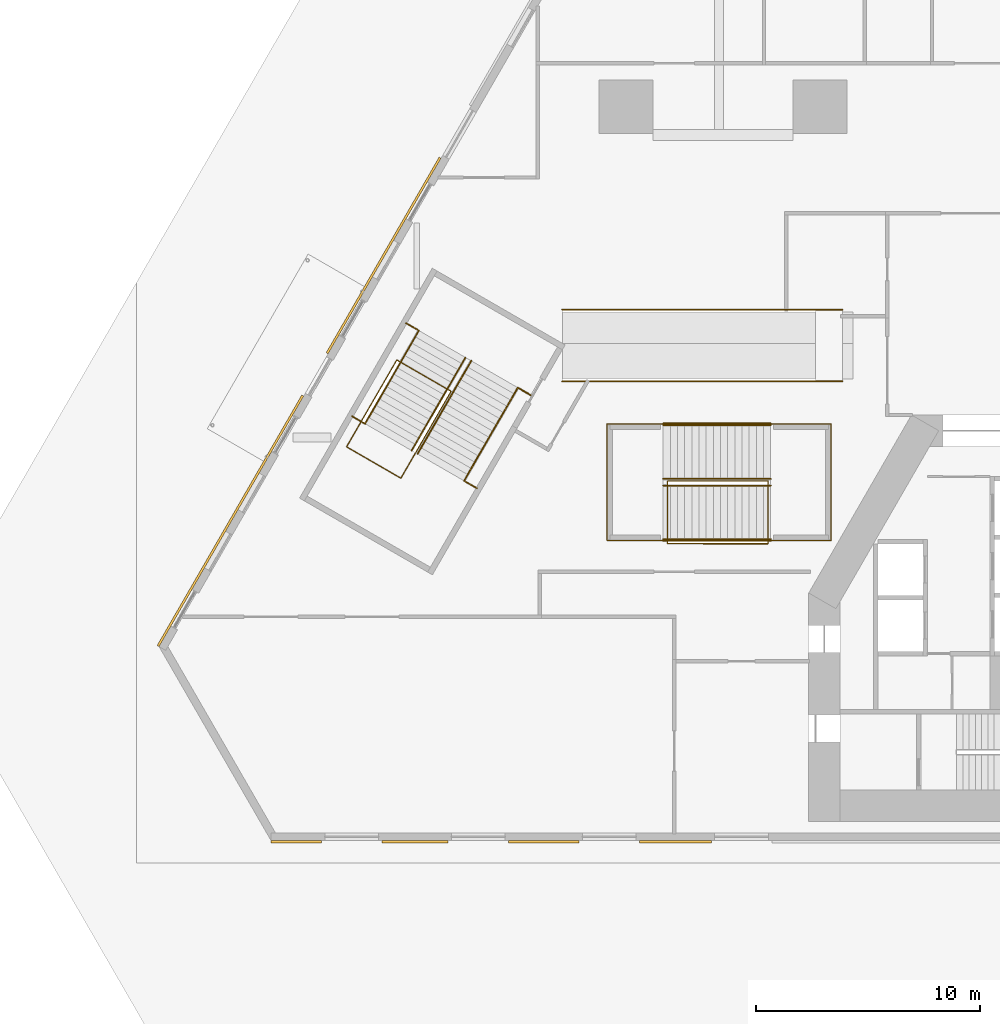
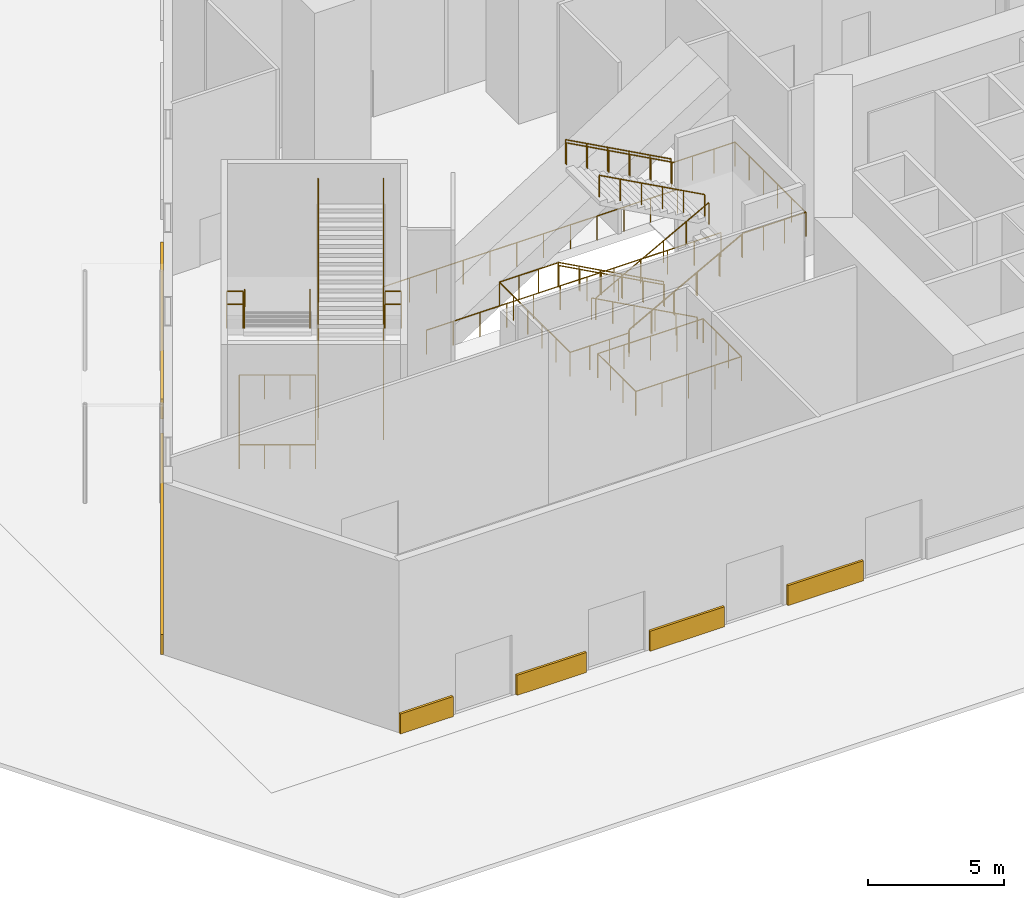
# One storey, part 20 of 24: 25 railings, 6 coverings.
"""IFC4 building model written with IfcOpenShell, lengths in metres."""

from ifc_helpers import new_model, si_unit, direction, frame, origin, origin_2d, place, context, subcontext, project, spatial, polyline, circle, outline, extrude, material, type_object, element, save


model = new_model("IFC4")

# Units and contexts
model_context = context("Model", 3, precision=1e-05, world=origin(), true_north=direction((0.0, 1.0)))
body_context = subcontext(model_context, "Body", "Model", "MODEL_VIEW")
ifc_project = project(units=[si_unit("LENGTHUNIT", "METRE"), si_unit("AREAUNIT", "SQUARE_METRE"), si_unit("VOLUMEUNIT", "CUBIC_METRE"), si_unit("PLANEANGLEUNIT", "RADIAN"), si_unit("MASSUNIT", "GRAM", prefix="KILO")], contexts=[model_context])

# Site, building, storey
site_placement = place(None, origin())
site = spatial("IfcSite", under=ifc_project, at=site_placement, CompositionType="ELEMENT")
building_placement = place(site_placement, origin())
building = spatial("IfcBuilding", under=site, at=building_placement, Name="Fogline Exchange Tower", CompositionType="ELEMENT")
storey_placement = place(building_placement, origin())
storey = spatial("IfcBuildingStorey", under=building, at=storey_placement, Name="L00", CompositionType="ELEMENT", Elevation=0.0)

# Coverings
ifc_material_1 = material(Name="Granite", Category="masonry")
covering_type = type_object("IfcCoveringType", Name="GB1", PredefinedType="CLADDING", material=ifc_material_1)
covering_1_placement = place(storey_placement, origin())
element("IfcCovering", 1, at=covering_1_placement, inside=storey, type_object=covering_type, Name="Granite base course L00 S", PredefinedType="CLADDING", context=body_context, shape_type="SweptSolid", body=[
    extrude(outline(polyline([(-38.0, 0.0), (-38.0, -0.10009765625), (-35.75, -0.10009765625), (-35.75, 0.0), (-38.0, 0.0)])), origin(), (0.0, 0.0, 1.0), 0.89990234375),
])
covering_2_placement = place(storey_placement, origin())
element("IfcCovering", 2, at=covering_2_placement, inside=storey, type_object=covering_type, Name="Granite base course L00 S", PredefinedType="CLADDING", context=body_context, shape_type="SweptSolid", body=[
    extrude(outline(polyline([(-33.050048828125, 0.0), (-33.050048828125, -0.10009765625), (-30.10009765625, -0.10009765625), (-30.10009765625, 0.0), (-33.050048828125, 0.0)])), origin(), (0.0, 0.0, 1.0), 0.89990234375),
])
covering_3_placement = place(storey_placement, origin())
element("IfcCovering", 3, at=covering_3_placement, inside=storey, type_object=covering_type, Name="Granite base course L00 S", PredefinedType="CLADDING", context=body_context, shape_type="SweptSolid", body=[
    extrude(outline(polyline([(-27.39990234375, 0.0), (-27.39990234375, -0.10009765625), (-24.25, -0.10009765625), (-24.25, 0.0), (-27.39990234375, 0.0)])), origin(), (0.0, 0.0, 1.0), 0.89990234375),
])
covering_4_placement = place(storey_placement, origin())
element("IfcCovering", 4, at=covering_4_placement, inside=storey, type_object=covering_type, Name="Granite base course L00 S", PredefinedType="CLADDING", context=body_context, shape_type="SweptSolid", body=[
    extrude(outline(polyline([(-21.550048828125, 0.0), (-21.550048828125, -0.10009765625), (-18.35009765625, -0.10009765625), (-18.35009765625, 0.0), (-21.550048828125, 0.0)])), origin(), (0.0, 0.0, 1.0), 0.89990234375),
])
covering_5_placement = place(storey_placement, origin())
element("IfcCovering", 5, at=covering_5_placement, inside=storey, type_object=covering_type, Name="Granite base course L00 W", PredefinedType="CLADDING", context=body_context, shape_type="SweptSolid", body=[
    extrude(outline(polyline([(-30.41455078125, 30.458984375), (-30.501220703125, 30.509033203125), (-35.540283203125, 21.78076171875), (-35.45361328125, 21.730712890625), (-30.41455078125, 30.458984375)])), origin(), (0.0, 0.0, 1.0), 0.89990234375),
])
covering_6_placement = place(storey_placement, origin())
element("IfcCovering", 6, at=covering_6_placement, inside=storey, type_object=covering_type, Name="Granite base course L00 W", PredefinedType="CLADDING", context=body_context, shape_type="SweptSolid", body=[
    extrude(outline(polyline([(-36.546142578125, 19.83837890625), (-36.6328125, 19.888427734375), (-43.086669921875, 8.710205078125), (-43.0, 8.660400390625), (-36.546142578125, 19.83837890625)])), origin(), (0.0, 0.0, 1.0), 0.89990234375),
])

# Railings
ifc_material_2 = material(Name="Steel Q235B", Category="steel")
railing_type_1 = type_object("IfcRailingType", Name="PG1", PredefinedType="GUARDRAIL", material=ifc_material_2)
railing_1_placement = place(storey_placement, frame((-32.3916015625, 21.455322265625, 0.0)))
element("IfcRailing", 7, at=railing_1_placement, inside=storey, type_object=railing_type_1, Name="Stair well guard ST4", PredefinedType="GUARDRAIL", context=body_context, shape_type="SweptSolid", body=[
    extrude(circle(Radius=0.02392578125, at=origin_2d()), frame((0.0, 0.0, 1.076171875), z_axis=(0.866034573852, -0.49998411664, 0.0), x_axis=(0.49998411664, 0.866034573852, 0.0)), (0.0, 0.0, 1.0), 2.7998046875),
    extrude(circle(Radius=0.02392578125, at=origin_2d()), frame((2.4248046875, -1.39990234375, 1.076171875), z_axis=(-0.499950561895, -0.866053945006, 0.0), x_axis=(0.866053945006, -0.499950561895, 0.0)), (0.0, 0.0, 1.0), 4.47802734375),
    extrude(circle(Radius=0.02392578125, at=origin_2d()), frame((0.18603515625, -5.278076171875, 1.076171875), z_axis=(-0.866056369097, 0.49994636267, 0.0), x_axis=(-0.49994636267, -0.866056369097, 0.0)), (0.0, 0.0, 1.0), 2.800048828125),
    extrude(circle(Radius=0.02392578125, at=origin_2d()), frame((-2.239013671875, -3.878173828125, 1.076171875), z_axis=(0.500963201457, 0.865468584517, 0.0), x_axis=(-0.865468584517, 0.500963201457, 0.0)), (0.0, 0.0, 1.0), 4.478271484375),
    extrude(circle(Radius=0.02099609375, at=origin_2d()), origin(), (0.0, 0.0, 1.0), 1.052001953125),
    extrude(circle(Radius=0.02099609375, at=origin_2d()), frame((0.808349609375, -0.466552734375, 0.0)), (0.0, 0.0, 1.0), 1.052001953125),
    extrude(circle(Radius=0.02099609375, at=origin_2d()), frame((1.616455078125, -0.933349609375, 0.0)), (0.0, 0.0, 1.0), 1.052001953125),
    extrude(circle(Radius=0.02099609375, at=origin_2d()), frame((2.4248046875, -1.39990234375, 0.0)), (0.0, 0.0, 1.0), 1.052001953125),
    extrude(circle(Radius=0.02099609375, at=origin_2d()), frame((1.865234375, -2.369384765625, 0.0)), (0.0, 0.0, 1.0), 1.052001953125),
    extrude(circle(Radius=0.02099609375, at=origin_2d()), frame((1.305419921875, -3.3388671875, 0.0)), (0.0, 0.0, 1.0), 1.052001953125),
    extrude(circle(Radius=0.02099609375, at=origin_2d()), frame((0.74560546875, -4.30859375, 0.0)), (0.0, 0.0, 1.0), 1.052001953125),
    extrude(circle(Radius=0.02099609375, at=origin_2d()), frame((0.18603515625, -5.278076171875, 0.0)), (0.0, 0.0, 1.0), 1.052001953125),
    extrude(circle(Radius=0.02099609375, at=origin_2d()), frame((-0.622314453125, -4.8115234375, 0.0)), (0.0, 0.0, 1.0), 1.052001953125),
    extrude(circle(Radius=0.02099609375, at=origin_2d()), frame((-1.4306640625, -4.3447265625, 0.0)), (0.0, 0.0, 1.0), 1.052001953125),
    extrude(circle(Radius=0.02099609375, at=origin_2d()), frame((-2.239013671875, -3.878173828125, 0.0)), (0.0, 0.0, 1.0), 1.052001953125),
    extrude(circle(Radius=0.02099609375, at=origin_2d()), frame((-1.67822265625, -2.9091796875, 0.0)), (0.0, 0.0, 1.0), 1.052001953125),
    extrude(circle(Radius=0.02099609375, at=origin_2d()), frame((-1.1171875, -1.9404296875, 0.0)), (0.0, 0.0, 1.0), 1.052001953125),
    extrude(circle(Radius=0.02099609375, at=origin_2d()), frame((-0.556396484375, -0.971435546875, 0.0)), (0.0, 0.0, 1.0), 1.052001953125),
    extrude(circle(Radius=0.02099609375, at=origin_2d()), frame((0.00439453125, -0.00244140625, 0.0)), (0.0, 0.0, 1.0), 1.052001953125),
])
railing_2_placement = place(storey_placement, frame((-31.979248046875, 23.099609375, 2.608642578125)))
element("IfcRailing", 8, at=railing_2_placement, inside=storey, type_object=railing_type_1, Name="Landing guard ST4", PredefinedType="GUARDRAIL", context=body_context, shape_type="SweptSolid", body=[
    extrude(circle(Radius=0.02392578125, at=origin_2d()), frame((0.0, 0.0, 1.076171875), z_axis=(0.865888002441, -0.500237910626, 0.0), x_axis=(0.500237910626, 0.865888002441, 0.0)), (0.0, 0.0, 1.0), 0.614990234375),
    extrude(circle(Radius=0.02099609375, at=origin_2d()), origin(), (0.0, 0.0, 1.0), 1.052001953125),
    extrude(circle(Radius=0.02099609375, at=origin_2d()), frame((0.532470703125, -0.3076171875, 0.0)), (0.0, 0.0, 1.0), 1.052001953125),
])
railing_3_placement = place(storey_placement, frame((-26.943359375, 20.192138671875, 2.608642578125)))
element("IfcRailing", 9, at=railing_3_placement, inside=storey, type_object=railing_type_1, Name="Landing guard ST4", PredefinedType="GUARDRAIL", context=body_context, shape_type="SweptSolid", body=[
    extrude(circle(Radius=0.02392578125, at=origin_2d()), frame((0.0, 0.0, 1.076171875), z_axis=(0.865987299264, -0.500065993159, 0.0), x_axis=(0.500065993159, 0.865987299264, 0.0)), (0.0, 0.0, 1.0), 0.615234375),
    extrude(circle(Radius=0.02099609375, at=origin_2d()), origin(), (0.0, 0.0, 1.0), 1.052001953125),
    extrude(circle(Radius=0.02099609375, at=origin_2d()), frame((0.53271484375, -0.3076171875, 0.0)), (0.0, 0.0, 1.0), 1.052001953125),
])
railing_4_placement = place(storey_placement, frame((-34.379150390625, 18.9423828125, 5.391357421875)))
element("IfcRailing", 10, at=railing_4_placement, inside=storey, type_object=railing_type_1, Name="Landing guard ST4", PredefinedType="GUARDRAIL", context=body_context, shape_type="SweptSolid", body=[
    extrude(circle(Radius=0.02392578125, at=origin_2d()), frame((0.0, 0.0, 1.076171875), z_axis=(0.866059952115, -0.49994015576, 0.0), x_axis=(0.49994015576, 0.866059952115, 0.0)), (0.0, 0.0, 1.0), 0.61474609375),
    extrude(circle(Radius=0.02099609375, at=origin_2d()), origin(), (0.0, 0.0, 1.0), 1.052001953125),
    extrude(circle(Radius=0.02099609375, at=origin_2d()), frame((0.532470703125, -0.307373046875, 0.0)), (0.0, 0.0, 1.0), 1.052001953125),
])
railing_5_placement = place(storey_placement, frame((-29.34326171875, 16.03515625, 5.391357421875)))
element("IfcRailing", 11, at=railing_5_placement, inside=storey, type_object=railing_type_1, Name="Landing guard ST4", PredefinedType="GUARDRAIL", context=body_context, shape_type="SweptSolid", body=[
    extrude(circle(Radius=0.02392578125, at=origin_2d()), frame((0.0, 0.0, 1.076171875), z_axis=(0.865987299264, -0.500065993159, 0.0), x_axis=(0.500065993159, 0.865987299264, 0.0)), (0.0, 0.0, 1.0), 0.615234375),
    extrude(circle(Radius=0.02099609375, at=origin_2d()), origin(), (0.0, 0.0, 1.0), 1.052001953125),
    extrude(circle(Radius=0.02099609375, at=origin_2d()), frame((0.53271484375, -0.3076171875, 0.0)), (0.0, 0.0, 1.0), 1.052001953125),
])
railing_6_placement = place(storey_placement, frame((-20.300048828125, 13.25, 0.0)))
element("IfcRailing", 12, at=railing_6_placement, inside=storey, type_object=railing_type_1, Name="Stair well guard PS3", PredefinedType="GUARDRAIL", context=body_context, shape_type="SweptSolid", body=[
    extrude(circle(Radius=0.02392578125, at=origin_2d()), frame((0.0, 0.0, 1.076171875), z_axis=(0.0, 1.0, 0.0), x_axis=(-1.0, 0.0, 0.0)), (0.0, 0.0, 1.0), 2.800048828125),
    extrude(circle(Radius=0.02392578125, at=origin_2d()), frame((0.0, 2.800048828125, 1.076171875), z_axis=(1.0, 0.0, 0.0), x_axis=(0.0, 1.0, 0.0)), (0.0, 0.0, 1.0), 4.47802734375),
    extrude(circle(Radius=0.02392578125, at=origin_2d()), frame((4.47802734375, 2.800048828125, 1.076171875), z_axis=(0.0, -1.0, 0.0), x_axis=(1.0, 0.0, 0.0)), (0.0, 0.0, 1.0), 2.800048828125),
    extrude(circle(Radius=0.02392578125, at=origin_2d()), frame((4.47802734375, 0.0, 1.076171875), z_axis=(-0.999999405521, 0.001090392984, 0.0), x_axis=(-0.001090392984, -0.999999405521, 0.0)), (0.0, 0.0, 1.0), 4.47802734375),
    extrude(circle(Radius=0.02099609375, at=origin_2d()), origin(), (0.0, 0.0, 1.0), 1.052001953125),
    extrude(circle(Radius=0.02099609375, at=origin_2d()), frame((0.0, 0.933349609375, 0.0)), (0.0, 0.0, 1.0), 1.052001953125),
    extrude(circle(Radius=0.02099609375, at=origin_2d()), frame((0.0, 1.86669921875, 0.0)), (0.0, 0.0, 1.0), 1.052001953125),
    extrude(circle(Radius=0.02099609375, at=origin_2d()), frame((0.0, 2.800048828125, 0.0)), (0.0, 0.0, 1.0), 1.052001953125),
    extrude(circle(Radius=0.02099609375, at=origin_2d()), frame((1.11962890625, 2.800048828125, 0.0)), (0.0, 0.0, 1.0), 1.052001953125),
    extrude(circle(Radius=0.02099609375, at=origin_2d()), frame((2.239013671875, 2.800048828125, 0.0)), (0.0, 0.0, 1.0), 1.052001953125),
    extrude(circle(Radius=0.02099609375, at=origin_2d()), frame((3.3583984375, 2.800048828125, 0.0)), (0.0, 0.0, 1.0), 1.052001953125),
    extrude(circle(Radius=0.02099609375, at=origin_2d()), frame((4.47802734375, 2.800048828125, 0.0)), (0.0, 0.0, 1.0), 1.052001953125),
    extrude(circle(Radius=0.02099609375, at=origin_2d()), frame((4.47802734375, 1.86669921875, 0.0)), (0.0, 0.0, 1.0), 1.052001953125),
    extrude(circle(Radius=0.02099609375, at=origin_2d()), frame((4.47802734375, 0.933349609375, 0.0)), (0.0, 0.0, 1.0), 1.052001953125),
    extrude(circle(Radius=0.02099609375, at=origin_2d()), frame((4.47802734375, 0.0, 0.0)), (0.0, 0.0, 1.0), 1.052001953125),
    extrude(circle(Radius=0.02099609375, at=origin_2d()), frame((3.3583984375, 0.001220703125, 0.0)), (0.0, 0.0, 1.0), 1.052001953125),
    extrude(circle(Radius=0.02099609375, at=origin_2d()), frame((2.239013671875, 0.00244140625, 0.0)), (0.0, 0.0, 1.0), 1.052001953125),
    extrude(circle(Radius=0.02099609375, at=origin_2d()), frame((1.11962890625, 0.003662109375, 0.0)), (0.0, 0.0, 1.0), 1.052001953125),
    extrude(circle(Radius=0.02099609375, at=origin_2d()), frame((0.0, 0.0048828125, 0.0)), (0.0, 0.0, 1.0), 1.052001953125),
])
railing_7_placement = place(storey_placement, frame((-16.02001953125, 18.6201171875, 0.173828125)))
element("IfcRailing", 13, at=railing_7_placement, inside=storey, type_object=railing_type_1, Name="Guard PS1", PredefinedType="GUARDRAIL", context=body_context, shape_type="SweptSolid", body=[
    extrude(circle(Radius=0.02392578125, at=origin_2d()), frame((0.0, 0.0, 1.076171875), z_axis=(-0.878621015842, 0.0, 0.477519748828), x_axis=(0.0, -1.0, 0.0)), (0.0, 0.0, 1.0), 5.098876953125),
    extrude(circle(Radius=0.02099609375, at=origin_2d()), origin(), (0.0, 0.0, 1.0), 1.052001953125),
    extrude(circle(Radius=0.02099609375, at=origin_2d()), frame((-0.89599609375, 0.0, 0.487060546875)), (0.0, 0.0, 1.0), 1.052001953125),
    extrude(circle(Radius=0.02099609375, at=origin_2d()), frame((-1.7919921875, 0.0, 0.973876953125)), (0.0, 0.0, 1.0), 1.052001953125),
    extrude(circle(Radius=0.02099609375, at=origin_2d()), frame((-2.68798828125, 0.0, 1.4609375)), (0.0, 0.0, 1.0), 1.052001953125),
    extrude(circle(Radius=0.02099609375, at=origin_2d()), frame((-3.583984375, 0.0, 1.94775390625)), (0.0, 0.0, 1.0), 1.052001953125),
    extrude(circle(Radius=0.02099609375, at=origin_2d()), frame((-4.47998046875, 0.0, 2.434814453125)), (0.0, 0.0, 1.0), 1.052001953125),
])
railing_8_placement = place(storey_placement, frame((-20.5, 13.3798828125, 2.78271484375)))
element("IfcRailing", 14, at=railing_8_placement, inside=storey, type_object=railing_type_1, Name="Guard PS1", PredefinedType="GUARDRAIL", context=body_context, shape_type="SweptSolid", body=[
    extrude(circle(Radius=0.02392578125, at=origin_2d()), frame((0.0, 0.0, 1.076171875), z_axis=(0.878630623466, 0.0, 0.477502070685), x_axis=(0.0, 1.0, 0.0)), (0.0, 0.0, 1.0), 5.463134765625),
    extrude(circle(Radius=0.02099609375, at=origin_2d()), origin(), (0.0, 0.0, 1.0), 1.052001953125),
    extrude(circle(Radius=0.02099609375, at=origin_2d()), frame((0.9599609375, 0.0, 0.521728515625)), (0.0, 0.0, 1.0), 1.052001953125),
    extrude(circle(Radius=0.02099609375, at=origin_2d()), frame((1.919921875, 0.0, 1.04345703125)), (0.0, 0.0, 1.0), 1.052001953125),
    extrude(circle(Radius=0.02099609375, at=origin_2d()), frame((2.880126953125, 0.0, 1.565185546875)), (0.0, 0.0, 1.0), 1.052001953125),
    extrude(circle(Radius=0.02099609375, at=origin_2d()), frame((3.840087890625, 0.0, 2.0869140625)), (0.0, 0.0, 1.0), 1.052001953125),
    extrude(circle(Radius=0.02099609375, at=origin_2d()), frame((4.800048828125, 0.0, 2.608642578125)), (0.0, 0.0, 1.0), 1.052001953125),
])
railing_9_placement = place(storey_placement, frame((-15.699951171875, 18.6201171875, 5.565185546875)))
element("IfcRailing", 15, at=railing_9_placement, inside=storey, type_object=railing_type_1, Name="Guard PS1", PredefinedType="GUARDRAIL", context=body_context, shape_type="SweptSolid", body=[
    extrude(circle(Radius=0.02392578125, at=origin_2d()), frame((0.0, 0.0, 1.076171875), z_axis=(-0.878621015842, 0.0, 0.477519748828), x_axis=(0.0, -1.0, 0.0)), (0.0, 0.0, 1.0), 5.098876953125),
    extrude(circle(Radius=0.02099609375, at=origin_2d()), origin(), (0.0, 0.0, 1.0), 1.052001953125),
    extrude(circle(Radius=0.02099609375, at=origin_2d()), frame((-0.89599609375, 0.0, 0.487060546875)), (0.0, 0.0, 1.0), 1.052001953125),
    extrude(circle(Radius=0.02099609375, at=origin_2d()), frame((-1.7919921875, 0.0, 0.973876953125)), (0.0, 0.0, 1.0), 1.052001953125),
    extrude(circle(Radius=0.02099609375, at=origin_2d()), frame((-2.68798828125, 0.0, 1.4609375)), (0.0, 0.0, 1.0), 1.052001953125),
    extrude(circle(Radius=0.02099609375, at=origin_2d()), frame((-3.583984375, 0.0, 1.94775390625)), (0.0, 0.0, 1.0), 1.052001953125),
    extrude(circle(Radius=0.02099609375, at=origin_2d()), frame((-4.47998046875, 0.0, 2.434814453125)), (0.0, 0.0, 1.0), 1.052001953125),
])
railing_10_placement = place(storey_placement, frame((-20.5, 13.39990234375, 2.608642578125)))
element("IfcRailing", 16, at=railing_10_placement, inside=storey, type_object=railing_type_1, Name="Landing guard PS1", PredefinedType="GUARDRAIL", context=body_context, shape_type="SweptSolid", body=[
    extrude(circle(Radius=0.02392578125, at=origin_2d()), frame((0.0, 0.0, 1.076171875), z_axis=(-1.0, 0.0, 0.0), x_axis=(0.0, -1.0, 0.0)), (0.0, 0.0, 1.0), 2.5),
    extrude(circle(Radius=0.02392578125, at=origin_2d()), frame((-2.5, 0.0, 1.076171875), z_axis=(0.0, 1.0, 0.0), x_axis=(-1.0, 0.0, 0.0)), (0.0, 0.0, 1.0), 5.2001953125),
    extrude(circle(Radius=0.02392578125, at=origin_2d()), frame((-2.5, 5.2001953125, 1.076171875), z_axis=(1.0, 0.0, 0.0), x_axis=(0.0, 1.0, 0.0)), (0.0, 0.0, 1.0), 2.5),
    extrude(circle(Radius=0.02099609375, at=origin_2d()), origin(), (0.0, 0.0, 1.0), 1.052001953125),
    extrude(circle(Radius=0.02099609375, at=origin_2d()), frame((-0.833251953125, 0.0, 0.0)), (0.0, 0.0, 1.0), 1.052001953125),
    extrude(circle(Radius=0.02099609375, at=origin_2d()), frame((-1.666748046875, 0.0, 0.0)), (0.0, 0.0, 1.0), 1.052001953125),
    extrude(circle(Radius=0.02099609375, at=origin_2d()), frame((-2.5, 0.0, 0.0)), (0.0, 0.0, 1.0), 1.052001953125),
    extrude(circle(Radius=0.02099609375, at=origin_2d()), frame((-2.5, 1.0400390625, 0.0)), (0.0, 0.0, 1.0), 1.052001953125),
    extrude(circle(Radius=0.02099609375, at=origin_2d()), frame((-2.5, 2.080078125, 0.0)), (0.0, 0.0, 1.0), 1.052001953125),
    extrude(circle(Radius=0.02099609375, at=origin_2d()), frame((-2.5, 3.1201171875, 0.0)), (0.0, 0.0, 1.0), 1.052001953125),
    extrude(circle(Radius=0.02099609375, at=origin_2d()), frame((-2.5, 4.16015625, 0.0)), (0.0, 0.0, 1.0), 1.052001953125),
    extrude(circle(Radius=0.02099609375, at=origin_2d()), frame((-2.5, 5.2001953125, 0.0)), (0.0, 0.0, 1.0), 1.052001953125),
    extrude(circle(Radius=0.02099609375, at=origin_2d()), frame((-1.666748046875, 5.2001953125, 0.0)), (0.0, 0.0, 1.0), 1.052001953125),
    extrude(circle(Radius=0.02099609375, at=origin_2d()), frame((-0.833251953125, 5.2001953125, 0.0)), (0.0, 0.0, 1.0), 1.052001953125),
    extrude(circle(Radius=0.02099609375, at=origin_2d()), frame((0.0, 5.2001953125, 0.0)), (0.0, 0.0, 1.0), 1.052001953125),
])
railing_11_placement = place(storey_placement, frame((-15.699951171875, 13.39990234375, 5.391357421875)))
element("IfcRailing", 17, at=railing_11_placement, inside=storey, type_object=railing_type_1, Name="Landing guard PS1", PredefinedType="GUARDRAIL", context=body_context, shape_type="SweptSolid", body=[
    extrude(circle(Radius=0.02392578125, at=origin_2d()), frame((0.0, 0.0, 1.076171875), z_axis=(1.0, 0.0, 0.0), x_axis=(0.0, 1.0, 0.0)), (0.0, 0.0, 1.0), 2.699951171875),
    extrude(circle(Radius=0.02392578125, at=origin_2d()), frame((2.699951171875, 0.0, 1.076171875), z_axis=(0.0, 1.0, 0.0), x_axis=(-1.0, 0.0, 0.0)), (0.0, 0.0, 1.0), 5.2001953125),
    extrude(circle(Radius=0.02392578125, at=origin_2d()), frame((2.699951171875, 5.2001953125, 1.076171875), z_axis=(-1.0, 0.0, 0.0), x_axis=(0.0, -1.0, 0.0)), (0.0, 0.0, 1.0), 2.699951171875),
    extrude(circle(Radius=0.02099609375, at=origin_2d()), origin(), (0.0, 0.0, 1.0), 1.052001953125),
    extrude(circle(Radius=0.02099609375, at=origin_2d()), frame((0.89990234375, 0.0, 0.0)), (0.0, 0.0, 1.0), 1.052001953125),
    extrude(circle(Radius=0.02099609375, at=origin_2d()), frame((1.800048828125, 0.0, 0.0)), (0.0, 0.0, 1.0), 1.052001953125),
    extrude(circle(Radius=0.02099609375, at=origin_2d()), frame((2.699951171875, 0.0, 0.0)), (0.0, 0.0, 1.0), 1.052001953125),
    extrude(circle(Radius=0.02099609375, at=origin_2d()), frame((2.699951171875, 1.0400390625, 0.0)), (0.0, 0.0, 1.0), 1.052001953125),
    extrude(circle(Radius=0.02099609375, at=origin_2d()), frame((2.699951171875, 2.080078125, 0.0)), (0.0, 0.0, 1.0), 1.052001953125),
    extrude(circle(Radius=0.02099609375, at=origin_2d()), frame((2.699951171875, 3.1201171875, 0.0)), (0.0, 0.0, 1.0), 1.052001953125),
    extrude(circle(Radius=0.02099609375, at=origin_2d()), frame((2.699951171875, 4.16015625, 0.0)), (0.0, 0.0, 1.0), 1.052001953125),
    extrude(circle(Radius=0.02099609375, at=origin_2d()), frame((2.699951171875, 5.2001953125, 0.0)), (0.0, 0.0, 1.0), 1.052001953125),
    extrude(circle(Radius=0.02099609375, at=origin_2d()), frame((1.800048828125, 5.2001953125, 0.0)), (0.0, 0.0, 1.0), 1.052001953125),
    extrude(circle(Radius=0.02099609375, at=origin_2d()), frame((0.89990234375, 5.2001953125, 0.0)), (0.0, 0.0, 1.0), 1.052001953125),
    extrude(circle(Radius=0.02099609375, at=origin_2d()), frame((0.0, 5.2001953125, 0.0)), (0.0, 0.0, 1.0), 1.052001953125),
])
for number, where, name in (
    (18, (-25.0, 20.5, 0.0), "Guard"),
    (19, (-25.0, 23.699951171875, 0.0), "Guard"),
):
    element("IfcRailing", number, at=place(storey_placement, frame(where)), inside=storey, type_object=railing_type_1, Name=name, PredefinedType="GUARDRAIL", context=body_context, shape_type="SweptSolid", body=[
        extrude(circle(Radius=0.02392578125, at=origin_2d()), frame((0.0, 0.0, 1.076171875), z_axis=(1.0, 0.0, 0.0), x_axis=(0.0, 1.0, 0.0)), (0.0, 0.0, 1.0), 12.5),
        extrude(circle(Radius=0.02099609375, at=origin_2d()), origin(), (0.0, 0.0, 1.0), 1.052001953125),
        extrude(circle(Radius=0.02099609375, at=origin_2d()), frame((1.136474609375, 0.0, 0.0)), (0.0, 0.0, 1.0), 1.052001953125),
        extrude(circle(Radius=0.02099609375, at=origin_2d()), frame((2.272705078125, 0.0, 0.0)), (0.0, 0.0, 1.0), 1.052001953125),
        extrude(circle(Radius=0.02099609375, at=origin_2d()), frame((3.4091796875, 0.0, 0.0)), (0.0, 0.0, 1.0), 1.052001953125),
        extrude(circle(Radius=0.02099609375, at=origin_2d()), frame((4.54541015625, 0.0, 0.0)), (0.0, 0.0, 1.0), 1.052001953125),
        extrude(circle(Radius=0.02099609375, at=origin_2d()), frame((5.681884765625, 0.0, 0.0)), (0.0, 0.0, 1.0), 1.052001953125),
        extrude(circle(Radius=0.02099609375, at=origin_2d()), frame((6.818115234375, 0.0, 0.0)), (0.0, 0.0, 1.0), 1.052001953125),
        extrude(circle(Radius=0.02099609375, at=origin_2d()), frame((7.95458984375, 0.0, 0.0)), (0.0, 0.0, 1.0), 1.052001953125),
        extrude(circle(Radius=0.02099609375, at=origin_2d()), frame((9.0908203125, 0.0, 0.0)), (0.0, 0.0, 1.0), 1.052001953125),
        extrude(circle(Radius=0.02099609375, at=origin_2d()), frame((10.227294921875, 0.0, 0.0)), (0.0, 0.0, 1.0), 1.052001953125),
        extrude(circle(Radius=0.02099609375, at=origin_2d()), frame((11.363525390625, 0.0, 0.0)), (0.0, 0.0, 1.0), 1.052001953125),
        extrude(circle(Radius=0.02099609375, at=origin_2d()), frame((12.5, 0.0, 0.0)), (0.0, 0.0, 1.0), 1.052001953125),
    ])
railing_type_2 = type_object("IfcRailingType", Name="PH1", PredefinedType="HANDRAIL", material=ifc_material_2)
railing_12_placement = place(storey_placement, frame((-29.2265625, 16.337158203125, 0.173828125)))
element("IfcRailing", 20, at=railing_12_placement, inside=storey, type_object=railing_type_2, Name="Handrail ST4", PredefinedType="HANDRAIL", context=body_context, shape_type="SweptSolid", body=[
    extrude(circle(Radius=0.02392578125, at=origin_2d()), frame((0.0, 0.0, 0.97607421875), z_axis=(0.439303564155, 0.760916865563, 0.477512201124), x_axis=(-0.866031314237, 0.499989762656, 0.0)), (0.0, 0.0, 1.0), 5.098876953125),
    extrude(circle(Radius=0.02099609375, at=origin_2d()), origin(), (0.0, 0.0, 1.0), 0.951904296875),
    extrude(circle(Radius=0.02099609375, at=origin_2d()), frame((0.447998046875, 0.77587890625, 0.487060546875)), (0.0, 0.0, 1.0), 0.951904296875),
    extrude(circle(Radius=0.02099609375, at=origin_2d()), frame((0.89599609375, 1.552001953125, 0.973876953125)), (0.0, 0.0, 1.0), 0.951904296875),
    extrude(circle(Radius=0.02099609375, at=origin_2d()), frame((1.343994140625, 2.327880859375, 1.4609375)), (0.0, 0.0, 1.0), 0.951904296875),
    extrude(circle(Radius=0.02099609375, at=origin_2d()), frame((1.7919921875, 3.10400390625, 1.94775390625)), (0.0, 0.0, 1.0), 0.951904296875),
    extrude(circle(Radius=0.02099609375, at=origin_2d()), frame((2.239990234375, 3.8798828125, 2.434814453125)), (0.0, 0.0, 1.0), 0.951904296875),
])
railing_13_placement = place(storey_placement, frame((-31.304931640625, 17.537109375, 0.173828125)))
element("IfcRailing", 21, at=railing_13_placement, inside=storey, type_object=railing_type_2, Name="Handrail ST4", PredefinedType="HANDRAIL", context=body_context, shape_type="SweptSolid", body=[
    extrude(circle(Radius=0.02392578125, at=origin_2d()), frame((0.0, 0.0, 0.97607421875), z_axis=(0.439264922781, 0.760932870377, 0.47752224492), x_axis=(-0.866054910533, 0.49994888933, 0.0)), (0.0, 0.0, 1.0), 5.098876953125),
    extrude(circle(Radius=0.02099609375, at=origin_2d()), origin(), (0.0, 0.0, 1.0), 0.951904296875),
    extrude(circle(Radius=0.02099609375, at=origin_2d()), frame((0.447998046875, 0.77587890625, 0.487060546875)), (0.0, 0.0, 1.0), 0.951904296875),
    extrude(circle(Radius=0.02099609375, at=origin_2d()), frame((0.89599609375, 1.552001953125, 0.973876953125)), (0.0, 0.0, 1.0), 0.951904296875),
    extrude(circle(Radius=0.02099609375, at=origin_2d()), frame((1.34375, 2.327880859375, 1.4609375)), (0.0, 0.0, 1.0), 0.951904296875),
    extrude(circle(Radius=0.02099609375, at=origin_2d()), frame((1.791748046875, 3.10400390625, 1.94775390625)), (0.0, 0.0, 1.0), 0.951904296875),
    extrude(circle(Radius=0.02099609375, at=origin_2d()), frame((2.23974609375, 3.8798828125, 2.434814453125)), (0.0, 0.0, 1.0), 0.951904296875),
])
for number, where, name in (
    (22, (-31.4033203125, 22.76708984375, 2.78271484375), "Handrail ST4"),
    (23, (-29.324951171875, 21.56689453125, 2.78271484375), "Handrail ST4"),
):
    element("IfcRailing", number, at=place(storey_placement, frame(where)), inside=storey, type_object=railing_type_2, Name=name, PredefinedType="HANDRAIL", context=body_context, shape_type="SweptSolid", body=[
        extrude(circle(Radius=0.02392578125, at=origin_2d()), frame((0.0, 0.0, 0.97607421875), z_axis=(-0.439296165955, -0.760925312076, 0.477505547632), x_axis=(0.866037363387, -0.499979284789, 0.0)), (0.0, 0.0, 1.0), 5.463134765625),
        extrude(circle(Radius=0.02099609375, at=origin_2d()), origin(), (0.0, 0.0, 1.0), 0.951904296875),
        extrude(circle(Radius=0.02099609375, at=origin_2d()), frame((-0.47998046875, -0.831298828125, 0.521728515625)), (0.0, 0.0, 1.0), 0.951904296875),
        extrude(circle(Radius=0.02099609375, at=origin_2d()), frame((-0.9599609375, -1.662841796875, 1.04345703125)), (0.0, 0.0, 1.0), 0.951904296875),
        extrude(circle(Radius=0.02099609375, at=origin_2d()), frame((-1.43994140625, -2.494140625, 1.565185546875)), (0.0, 0.0, 1.0), 0.951904296875),
        extrude(circle(Radius=0.02099609375, at=origin_2d()), frame((-1.919921875, -3.32568359375, 2.0869140625)), (0.0, 0.0, 1.0), 0.951904296875),
        extrude(circle(Radius=0.02099609375, at=origin_2d()), frame((-2.39990234375, -4.156982421875, 2.608642578125)), (0.0, 0.0, 1.0), 0.951904296875),
    ])
for number, where, name in (
    (24, (-29.386474609375, 16.06005859375, 5.565185546875), "Handrail ST4"),
    (25, (-31.465087890625, 17.260009765625, 5.565185546875), "Handrail ST4"),
):
    element("IfcRailing", number, at=place(storey_placement, frame(where)), inside=storey, type_object=railing_type_2, Name=name, PredefinedType="HANDRAIL", context=body_context, shape_type="SweptSolid", body=[
        extrude(circle(Radius=0.02392578125, at=origin_2d()), frame((0.0, 0.0, 0.97607421875), z_axis=(0.439303564155, 0.760916865563, 0.477512201124), x_axis=(-0.866031314237, 0.499989762656, 0.0)), (0.0, 0.0, 1.0), 5.098876953125),
        extrude(circle(Radius=0.02099609375, at=origin_2d()), origin(), (0.0, 0.0, 1.0), 0.951904296875),
        extrude(circle(Radius=0.02099609375, at=origin_2d()), frame((0.447998046875, 0.77587890625, 0.487060546875)), (0.0, 0.0, 1.0), 0.951904296875),
        extrude(circle(Radius=0.02099609375, at=origin_2d()), frame((0.89599609375, 1.552001953125, 0.973876953125)), (0.0, 0.0, 1.0), 0.951904296875),
        extrude(circle(Radius=0.02099609375, at=origin_2d()), frame((1.343994140625, 2.327880859375, 1.4609375)), (0.0, 0.0, 1.0), 0.951904296875),
        extrude(circle(Radius=0.02099609375, at=origin_2d()), frame((1.7919921875, 3.10400390625, 1.94775390625)), (0.0, 0.0, 1.0), 0.951904296875),
        extrude(circle(Radius=0.02099609375, at=origin_2d()), frame((2.239990234375, 3.8798828125, 2.434814453125)), (0.0, 0.0, 1.0), 0.951904296875),
    ])
for number, where, name in (
    (26, (-16.02001953125, 18.550048828125, 0.173828125), "Handrail PS1"),
    (27, (-16.02001953125, 16.14990234375, 0.173828125), "Handrail PS1"),
):
    element("IfcRailing", number, at=place(storey_placement, frame(where)), inside=storey, type_object=railing_type_2, Name=name, PredefinedType="HANDRAIL", context=body_context, shape_type="SweptSolid", body=[
        extrude(circle(Radius=0.02392578125, at=origin_2d()), frame((0.0, 0.0, 0.97607421875), z_axis=(-0.878621015842, 0.0, 0.477519748828), x_axis=(0.0, -1.0, 0.0)), (0.0, 0.0, 1.0), 5.098876953125),
        extrude(circle(Radius=0.02099609375, at=origin_2d()), origin(), (0.0, 0.0, 1.0), 0.951904296875),
        extrude(circle(Radius=0.02099609375, at=origin_2d()), frame((-0.89599609375, 0.0, 0.487060546875)), (0.0, 0.0, 1.0), 0.951904296875),
        extrude(circle(Radius=0.02099609375, at=origin_2d()), frame((-1.7919921875, 0.0, 0.973876953125)), (0.0, 0.0, 1.0), 0.951904296875),
        extrude(circle(Radius=0.02099609375, at=origin_2d()), frame((-2.68798828125, 0.0, 1.4609375)), (0.0, 0.0, 1.0), 0.951904296875),
        extrude(circle(Radius=0.02099609375, at=origin_2d()), frame((-3.583984375, 0.0, 1.94775390625)), (0.0, 0.0, 1.0), 0.951904296875),
        extrude(circle(Radius=0.02099609375, at=origin_2d()), frame((-4.47998046875, 0.0, 2.434814453125)), (0.0, 0.0, 1.0), 0.951904296875),
    ])
for number, where, name in (
    (28, (-20.5, 13.449951171875, 2.78271484375), "Handrail PS1"),
    (29, (-20.5, 15.85009765625, 2.78271484375), "Handrail PS1"),
):
    element("IfcRailing", number, at=place(storey_placement, frame(where)), inside=storey, type_object=railing_type_2, Name=name, PredefinedType="HANDRAIL", context=body_context, shape_type="SweptSolid", body=[
        extrude(circle(Radius=0.02392578125, at=origin_2d()), frame((0.0, 0.0, 0.97607421875), z_axis=(0.878630623466, 0.0, 0.477502070685), x_axis=(0.0, 1.0, 0.0)), (0.0, 0.0, 1.0), 5.463134765625),
        extrude(circle(Radius=0.02099609375, at=origin_2d()), origin(), (0.0, 0.0, 1.0), 0.951904296875),
        extrude(circle(Radius=0.02099609375, at=origin_2d()), frame((0.9599609375, 0.0, 0.521728515625)), (0.0, 0.0, 1.0), 0.951904296875),
        extrude(circle(Radius=0.02099609375, at=origin_2d()), frame((1.919921875, 0.0, 1.04345703125)), (0.0, 0.0, 1.0), 0.951904296875),
        extrude(circle(Radius=0.02099609375, at=origin_2d()), frame((2.880126953125, 0.0, 1.565185546875)), (0.0, 0.0, 1.0), 0.951904296875),
        extrude(circle(Radius=0.02099609375, at=origin_2d()), frame((3.840087890625, 0.0, 2.0869140625)), (0.0, 0.0, 1.0), 0.951904296875),
        extrude(circle(Radius=0.02099609375, at=origin_2d()), frame((4.800048828125, 0.0, 2.608642578125)), (0.0, 0.0, 1.0), 0.951904296875),
    ])
for number, where, name in (
    (30, (-15.699951171875, 18.550048828125, 5.565185546875), "Handrail PS1"),
    (31, (-15.699951171875, 16.14990234375, 5.565185546875), "Handrail PS1"),
):
    element("IfcRailing", number, at=place(storey_placement, frame(where)), inside=storey, type_object=railing_type_2, Name=name, PredefinedType="HANDRAIL", context=body_context, shape_type="SweptSolid", body=[
        extrude(circle(Radius=0.02392578125, at=origin_2d()), frame((0.0, 0.0, 0.97607421875), z_axis=(-0.878621015842, 0.0, 0.477519748828), x_axis=(0.0, -1.0, 0.0)), (0.0, 0.0, 1.0), 5.098876953125),
        extrude(circle(Radius=0.02099609375, at=origin_2d()), origin(), (0.0, 0.0, 1.0), 0.951904296875),
        extrude(circle(Radius=0.02099609375, at=origin_2d()), frame((-0.89599609375, 0.0, 0.487060546875)), (0.0, 0.0, 1.0), 0.951904296875),
        extrude(circle(Radius=0.02099609375, at=origin_2d()), frame((-1.7919921875, 0.0, 0.973876953125)), (0.0, 0.0, 1.0), 0.951904296875),
        extrude(circle(Radius=0.02099609375, at=origin_2d()), frame((-2.68798828125, 0.0, 1.4609375)), (0.0, 0.0, 1.0), 0.951904296875),
        extrude(circle(Radius=0.02099609375, at=origin_2d()), frame((-3.583984375, 0.0, 1.94775390625)), (0.0, 0.0, 1.0), 0.951904296875),
        extrude(circle(Radius=0.02099609375, at=origin_2d()), frame((-4.47998046875, 0.0, 2.434814453125)), (0.0, 0.0, 1.0), 0.951904296875),
    ])

save(model, "model.ifc")
